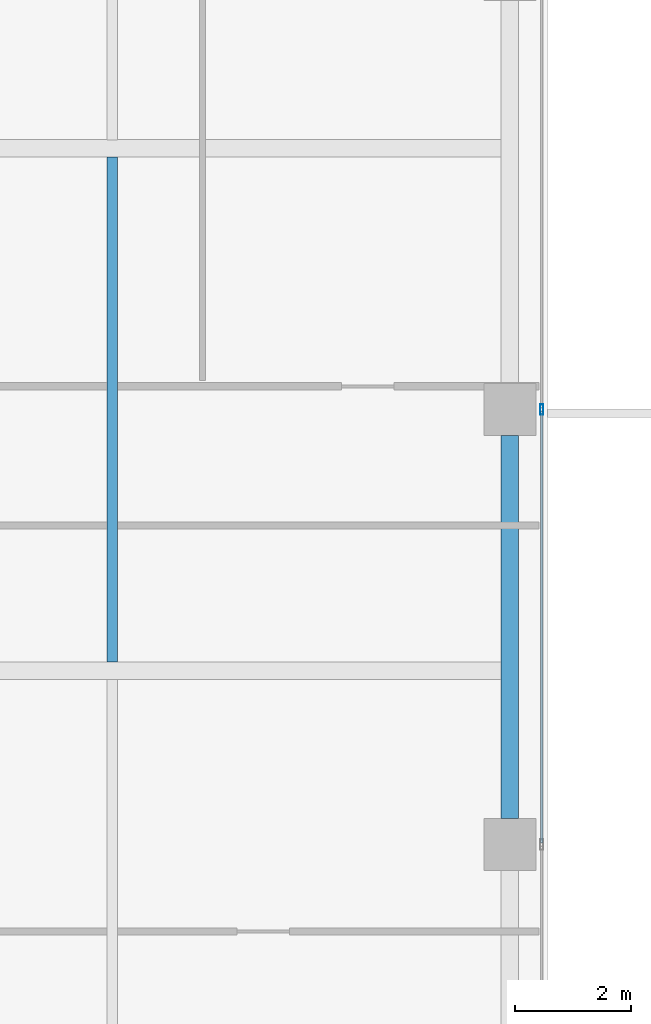
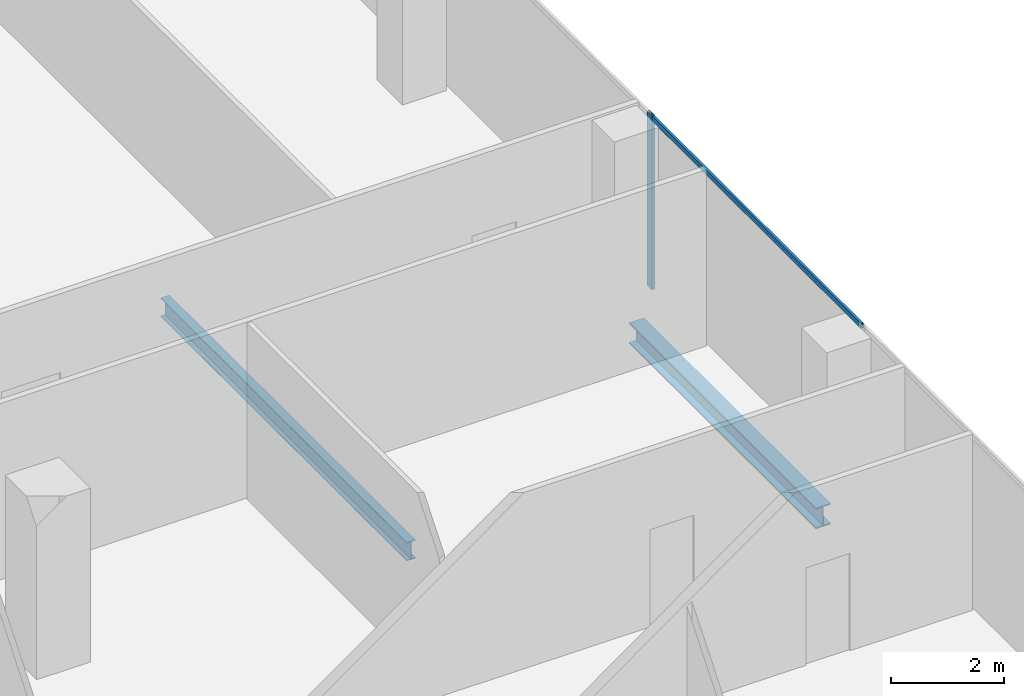
# One storey, part 13 of 34: 2 beams, 2 members, 1 element without a shape of its own.
"""IFC4 building model written with IfcOpenShell, lengths in metres."""

from ifc_helpers import new_model, si_unit, direction, frame, origin, origin_2d, place, context, subcontext, project, spatial, hollow_rectangle, i_section, extrude, source, transform, mapped, material, material_profile, profile_set, type_object, element, aggregate, save


model = new_model("IFC4")

# Units and contexts
model_context = context("Model", 3, precision=1e-05, world=origin(), true_north=direction((0.0, 1.0)))
body_context = subcontext(model_context, "Body", "Model", "MODEL_VIEW")
ifc_project = project(units=[si_unit("LENGTHUNIT", "METRE"), si_unit("AREAUNIT", "SQUARE_METRE"), si_unit("VOLUMEUNIT", "CUBIC_METRE"), si_unit("PLANEANGLEUNIT", "RADIAN"), si_unit("MASSUNIT", "GRAM", prefix="KILO")], contexts=[model_context])

# Site, building, storey
site_placement = place(None, origin())
site = spatial("IfcSite", under=ifc_project, at=site_placement, CompositionType="ELEMENT")
building_placement = place(site_placement, origin())
building = spatial("IfcBuilding", under=site, at=building_placement, Name="Khomas Fold Tower", CompositionType="ELEMENT")
storey_placement = place(building_placement, frame((0.0, 0.0, 242.199951171875)))
storey = spatial("IfcBuildingStorey", under=building, at=storey_placement, Name="L54", CompositionType="ELEMENT", Elevation=242.199951171875)

# Beams
ifc_material_1 = material(Name="Steel S355", Category="steel")
ifc_material_profile_1 = material_profile(ifc_material_1, i_section(OverallWidth=0.179931640625, OverallDepth=0.39990234375, WebThickness=0.008544921875, FlangeThickness=0.013427734375, at=origin_2d()), Name="IPE 400")
ifc_profile_set_1 = profile_set([ifc_material_profile_1], Name="Steel S355")
beam_type_1 = type_object("IfcBeamType", Name="IPE 400 beam JB3", PredefinedType="BEAM", material=ifc_profile_set_1)
shared_shape_1 = source(origin(), body_context, "Body", "SweptSolid", [
    extrude(i_section(OverallWidth=0.179931640625, OverallDepth=0.39990234375, WebThickness=0.008544921875, FlangeThickness=0.013427734375, at=origin_2d()), origin(), (0.0, 0.0, 1.0), 8.7001953125),
])
beam_1_placement = place(storey_placement, frame((42.0, 22.64990234375, -0.449951171875), z_axis=(0.0, 1.0, 0.0), x_axis=(-1.0, 0.0, 0.0)))
element("IfcBeam", 1, at=beam_1_placement, inside=storey, type_object=beam_type_1, Name="JB3", PredefinedType="BEAM", context=body_context, shape_type="MappedRepresentation", body=[
    mapped(shared_shape_1, transform((0.0, 0.0, 0.0))),
])
ifc_material_2 = material(Name="Steel S355", Category="steel")
ifc_material_profile_2 = material_profile(ifc_material_2, i_section(OverallWidth=0.300048828125, OverallDepth=0.449951171875, WebThickness=0.013916015625, FlangeThickness=0.02587890625, at=origin_2d()), Name="HE 450 B")
ifc_profile_set_2 = profile_set([ifc_material_profile_2], Name="Steel S355")
beam_type_2 = type_object("IfcBeamType", Name="HE 450 B spandrel SB4", PredefinedType="SPANDREL", material=ifc_profile_set_2)
shared_shape_2 = source(origin(), body_context, "Body", "SweptSolid", [
    extrude(i_section(OverallWidth=0.300048828125, OverallDepth=0.449951171875, WebThickness=0.013916015625, FlangeThickness=0.02587890625, at=origin_2d()), origin(), (0.0, 0.0, 1.0), 6.60009765625),
])
beam_2_placement = place(storey_placement, frame((48.85009765625, 19.949951171875, -0.474853515625), z_axis=(0.0, 1.0, 0.0), x_axis=(-1.0, 0.0, 0.0)))
element("IfcBeam", 2, at=beam_2_placement, inside=storey, type_object=beam_type_2, Name="SB4", PredefinedType="SPANDREL", context=body_context, shape_type="MappedRepresentation", body=[
    mapped(shared_shape_2, transform((0.0, 0.0, 0.0))),
])

# Curtain wall, members
ifc_material_3 = material(Name="Aluminium framed double glazing", Category="aluminium")
curtain_wall_type = type_object("IfcCurtainWallType", Name="SK-Unitised clear-glass wall, office floors CW2", PredefinedType="NOTDEFINED", material=ifc_material_3)
curtain_wall_placement = place(storey_placement, origin())
curtain_wall = element("IfcCurtainWall", 3, at=curtain_wall_placement, inside=storey, type_object=curtain_wall_type, Name="CW2 run L54 03-0", PredefinedType="NOTDEFINED")
ifc_material_4 = material(Name="Aluminium", Category="aluminium")
ifc_material_profile_3 = material_profile(ifc_material_4, hollow_rectangle(XDim=0.06005859375, YDim=0.179931640625, WallThickness=0.00390625, at=origin_2d()), Name="SK-Unitised clear-glass wall, office floors mullion CW2-M")
ifc_profile_set_3 = profile_set([ifc_material_profile_3], Name="Aluminium")
member_type_1 = type_object("IfcMemberType", Name="SK-Unitised clear-glass wall, office floors mullion CW2-M", PredefinedType="MULLION", material=ifc_profile_set_3)
shared_shape_3 = source(origin(), body_context, "Body", "SweptSolid", [
    extrude(hollow_rectangle(XDim=0.06005859375, YDim=0.179931640625, WallThickness=0.00390625, at=origin_2d()), origin(), (0.0, 0.0, 1.0), 3.75),
])
member_1_placement = place(storey_placement, frame((49.39990234375, 27.0, 0.0), z_axis=(0.0, 0.0, 1.0), x_axis=(-1.0, 0.0, 0.0)))
member_1 = element("IfcMember", 4, at=member_1_placement, type_object=member_type_1, Name="CW2 mullion 4", PredefinedType="MULLION", context=body_context, shape_type="MappedRepresentation", body=[
    mapped(shared_shape_3, transform((0.0, 0.0, 0.0))),
])
ifc_material_5 = material(Name="Aluminium", Category="aluminium")
ifc_material_profile_4 = material_profile(ifc_material_5, hollow_rectangle(XDim=0.050048828125, YDim=0.110107421875, WallThickness=0.00390625, at=origin_2d()), Name="SK-Unitised clear-glass wall, office floors transom CW2-T")
ifc_profile_set_4 = profile_set([ifc_material_profile_4], Name="Aluminium")
member_type_2 = type_object("IfcMemberType", Name="SK-Unitised clear-glass wall, office floors transom CW2-T", PredefinedType="USERDEFINED", material=ifc_profile_set_4)
shared_shape_4 = source(origin(), body_context, "Body", "SweptSolid", [
    extrude(hollow_rectangle(XDim=0.050048828125, YDim=0.110107421875, WallThickness=0.00390625, at=origin_2d()), origin(), (0.0, 0.0, 1.0), 7.43994140625),
])
member_2_placement = place(storey_placement, frame((49.39990234375, 19.530029296875, 3.695068359375), z_axis=(0.0, 1.0, 0.0), x_axis=(-1.0, 0.0, 0.0)))
member_2 = element("IfcMember", 5, at=member_2_placement, type_object=member_type_2, Name="CW2 transom 3", ObjectType="TRANSOM", PredefinedType="USERDEFINED", context=body_context, shape_type="MappedRepresentation", body=[
    mapped(shared_shape_4, transform((0.0, 0.0, 0.0))),
])
aggregate(curtain_wall, [member_1, member_2])

save(model, "model.ifc")
